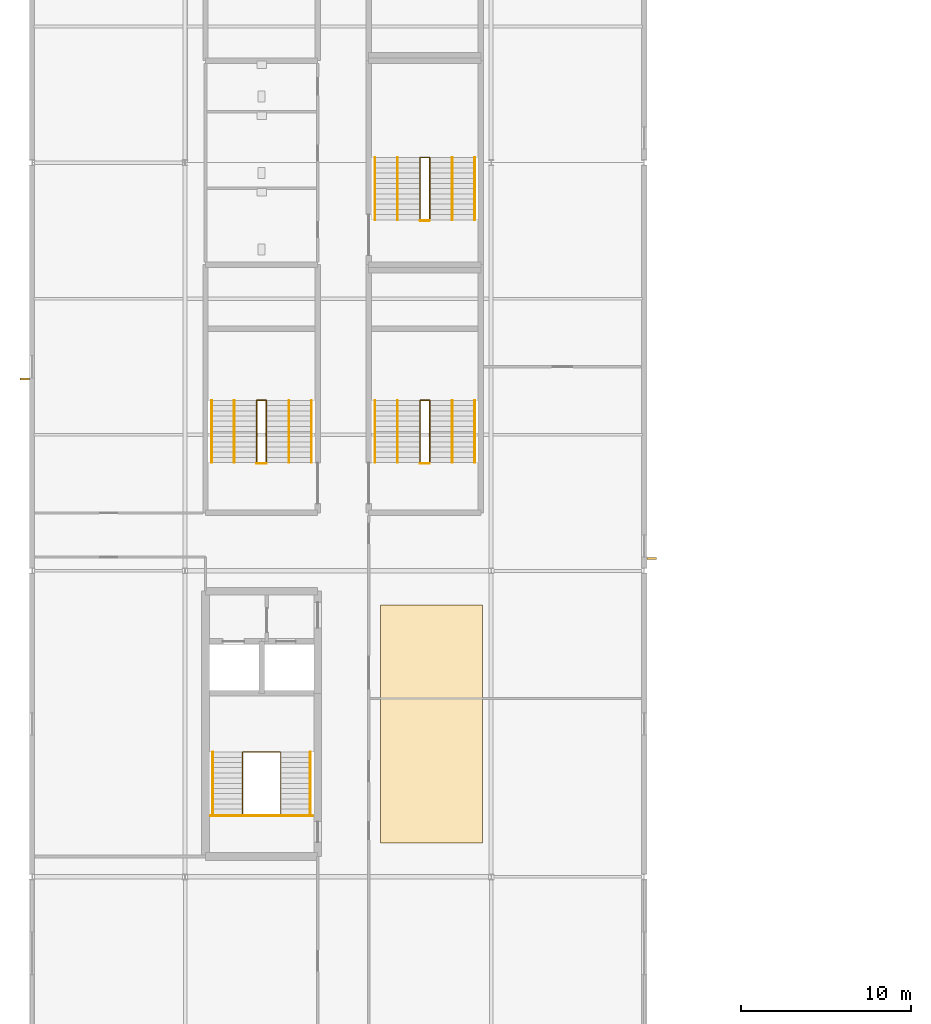
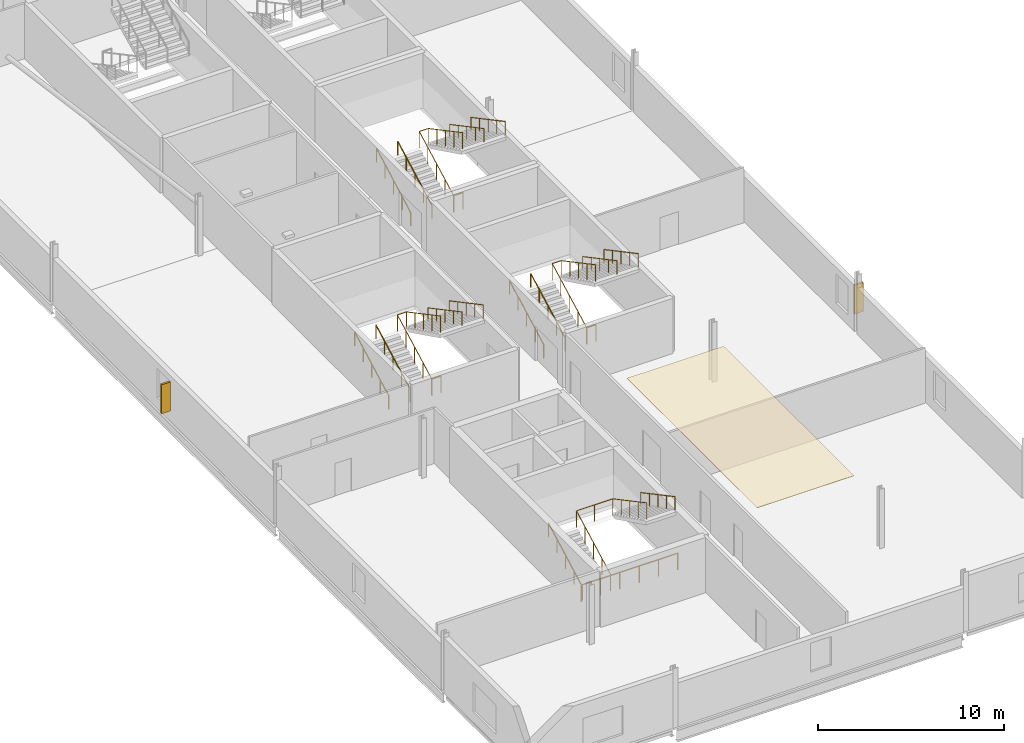
# One storey, part 27 of 31: 22 railings, 2 shading devices, 1 covering.
"""IFC4 building model written with IfcOpenShell, lengths in metres."""

from ifc_helpers import new_model, si_unit, direction, frame, origin, origin_2d, place, context, subcontext, project, spatial, polyline, rectangle, circle, outline, extrude, material, layer, layer_set, type_object, element, save


model = new_model("IFC4")

# Units and contexts
model_context = context("Model", 3, precision=1e-05, world=origin(), true_north=direction((0.0, 1.0)))
body_context = subcontext(model_context, "Body", "Model", "MODEL_VIEW")
ifc_project = project(units=[si_unit("LENGTHUNIT", "METRE"), si_unit("AREAUNIT", "SQUARE_METRE"), si_unit("VOLUMEUNIT", "CUBIC_METRE"), si_unit("PLANEANGLEUNIT", "RADIAN"), si_unit("MASSUNIT", "GRAM", prefix="KILO")], contexts=[model_context])

# Site, building, storey
site_placement = place(None, origin())
site = spatial("IfcSite", under=ifc_project, at=site_placement, CompositionType="ELEMENT")
building_placement = place(site_placement, origin())
building = spatial("IfcBuilding", under=site, at=building_placement, Name="Kisiwana Market Hall", CompositionType="ELEMENT")
storey_placement = place(building_placement, frame((0.0, 0.0, 45.60009765625)))
storey = spatial("IfcBuildingStorey", under=building, at=storey_placement, Name="L10", CompositionType="ELEMENT", Elevation=45.60009765625)

# Covering
ifc_material_1 = material(Name="Mineral-fibre acoustic ceiling board")
ifc_layer = layer(ifc_material_1, 0.02490234375)
ifc_layer_set = layer_set([ifc_layer], Name="COV-CEIL-AC")
covering_type = type_object("IfcCoveringType", Name="COV-CEIL-AC", PredefinedType="CEILING", material=ifc_layer_set)
covering_placement = place(storey_placement, frame((0.0, 0.0, 3.594970703125)))
element("IfcCovering", 1, at=covering_placement, inside=storey, type_object=covering_type, Name="Acoustic ceiling grid L10-025", PredefinedType="CEILING", context=body_context, shape_type="SweptSolid", body=[
    extrude(outline(polyline([(20.5, 20.0), (26.5, 20.0), (26.5, 34.0), (20.5, 34.0), (20.5, 20.0)])), origin(), (0.0, 0.0, 1.0), 0.02490234375),
])

# Railings
ifc_material_2 = material(Name="Steel S275", Category="steel")
railing_type_1 = type_object("IfcRailingType", Name="RL-GUARD-1100", PredefinedType="GUARDRAIL", material=ifc_material_2)
railing_1_placement = place(storey_placement, frame((12.375, 21.674560546875, 0.0)))
element("IfcRailing", 2, at=railing_1_placement, inside=storey, type_object=railing_type_1, Name="Stair ST-W2-L10 inner-well guardrail (RL-1283)", PredefinedType="GUARDRAIL", context=body_context, shape_type="SweptSolid", body=[
    extrude(circle(Radius=0.02392578125, at=origin_2d()), frame((0.0, 0.0, 1.076171875), z_axis=(0.0, 0.88255331184, 0.47021234752), x_axis=(-1.0, 0.0, 0.0)), (0.0, 0.0, 1.0), 4.14697265625),
    extrude(circle(Radius=0.02392578125, at=origin_2d()), frame((0.0, 3.659912109375, 3.02587890625), z_axis=(1.0, 0.0, 0.0), x_axis=(0.0, 1.0, 0.0)), (0.0, 0.0, 1.0), 2.25),
    extrude(circle(Radius=0.02392578125, at=origin_2d()), frame((2.25, 3.659912109375, 3.02587890625), z_axis=(0.0, -0.88255331184, 0.47021234752), x_axis=(1.0, 0.0, 0.0)), (0.0, 0.0, 1.0), 4.14697265625),
    extrude(circle(Radius=0.02099609375, at=origin_2d()), origin(), (0.0, 0.0, 1.0), 1.052001953125),
    extrude(circle(Radius=0.02099609375, at=origin_2d()), frame((0.0, 0.9150390625, 0.487548828125)), (0.0, 0.0, 1.0), 1.052001953125),
    extrude(circle(Radius=0.02099609375, at=origin_2d()), frame((0.0, 1.830078125, 0.97509765625)), (0.0, 0.0, 1.0), 1.052001953125),
    extrude(circle(Radius=0.02099609375, at=origin_2d()), frame((0.0, 2.744873046875, 1.46240234375)), (0.0, 0.0, 1.0), 1.052001953125),
    extrude(circle(Radius=0.02099609375, at=origin_2d()), frame((0.0, 3.659912109375, 1.949951171875)), (0.0, 0.0, 1.0), 1.052001953125),
    extrude(circle(Radius=0.02099609375, at=origin_2d()), frame((1.125, 3.659912109375, 1.949951171875)), (0.0, 0.0, 1.0), 1.052001953125),
    extrude(circle(Radius=0.02099609375, at=origin_2d()), frame((2.25, 3.659912109375, 1.949951171875)), (0.0, 0.0, 1.0), 1.052001953125),
    extrude(circle(Radius=0.02099609375, at=origin_2d()), frame((2.25, 2.744873046875, 2.4375)), (0.0, 0.0, 1.0), 1.052001953125),
    extrude(circle(Radius=0.02099609375, at=origin_2d()), frame((2.25, 1.830078125, 2.9248046875)), (0.0, 0.0, 1.0), 1.052001953125),
    extrude(circle(Radius=0.02099609375, at=origin_2d()), frame((2.25, 0.9150390625, 3.412353515625)), (0.0, 0.0, 1.0), 1.052001953125),
    extrude(circle(Radius=0.02099609375, at=origin_2d()), frame((2.25, 0.0, 3.89990234375)), (0.0, 0.0, 1.0), 1.052001953125),
])
railing_2_placement = place(storey_placement, frame((10.5048828125, 21.594482421875, 0.0)))
element("IfcRailing", 3, at=railing_2_placement, inside=storey, type_object=railing_type_1, Name="Stair ST-W2-L10 landing edge guardrail (RL-1286)", PredefinedType="GUARDRAIL", context=body_context, shape_type="SweptSolid", body=[
    extrude(circle(Radius=0.02392578125, at=origin_2d()), frame((0.0, 0.0, 1.076171875), z_axis=(1.0, 0.0, 0.0), x_axis=(0.0, 1.0, 0.0)), (0.0, 0.0, 1.0), 5.990234375),
    extrude(circle(Radius=0.02099609375, at=origin_2d()), origin(), (0.0, 0.0, 1.0), 1.052001953125),
    extrude(circle(Radius=0.02099609375, at=origin_2d()), frame((1.197998046875, 0.0, 0.0)), (0.0, 0.0, 1.0), 1.052001953125),
    extrude(circle(Radius=0.02099609375, at=origin_2d()), frame((2.39599609375, 0.0, 0.0)), (0.0, 0.0, 1.0), 1.052001953125),
    extrude(circle(Radius=0.02099609375, at=origin_2d()), frame((3.59423828125, 0.0, 0.0)), (0.0, 0.0, 1.0), 1.052001953125),
    extrude(circle(Radius=0.02099609375, at=origin_2d()), frame((4.792236328125, 0.0, 0.0)), (0.0, 0.0, 1.0), 1.052001953125),
    extrude(circle(Radius=0.02099609375, at=origin_2d()), frame((5.990234375, 0.0, 0.0)), (0.0, 0.0, 1.0), 1.052001953125),
])
railing_3_placement = place(storey_placement, frame((13.219970703125, 42.360107421875, 0.0)))
element("IfcRailing", 4, at=railing_3_placement, inside=storey, type_object=railing_type_1, Name="Stair ST-W3-L10 inner-well guardrail (RL-1299)", PredefinedType="GUARDRAIL", context=body_context, shape_type="SweptSolid", body=[
    extrude(circle(Radius=0.02392578125, at=origin_2d()), frame((0.0, 0.0, 1.076171875), z_axis=(0.0, 0.88255331184, 0.47021234752), x_axis=(-1.0, 0.0, 0.0)), (0.0, 0.0, 1.0), 4.14697265625),
    extrude(circle(Radius=0.02392578125, at=origin_2d()), frame((0.0, 3.659912109375, 3.02587890625), z_axis=(1.0, 0.0, 0.0), x_axis=(0.0, 1.0, 0.0)), (0.0, 0.0, 1.0), 0.56005859375),
    extrude(circle(Radius=0.02392578125, at=origin_2d()), frame((0.56005859375, 3.659912109375, 3.02587890625), z_axis=(0.0, -0.88255331184, 0.47021234752), x_axis=(1.0, 0.0, 0.0)), (0.0, 0.0, 1.0), 4.14697265625),
    extrude(circle(Radius=0.02099609375, at=origin_2d()), origin(), (0.0, 0.0, 1.0), 1.052001953125),
    extrude(circle(Radius=0.02099609375, at=origin_2d()), frame((0.0, 0.9150390625, 0.487548828125)), (0.0, 0.0, 1.0), 1.052001953125),
    extrude(circle(Radius=0.02099609375, at=origin_2d()), frame((0.0, 1.830078125, 0.97509765625)), (0.0, 0.0, 1.0), 1.052001953125),
    extrude(circle(Radius=0.02099609375, at=origin_2d()), frame((0.0, 2.744873046875, 1.46240234375)), (0.0, 0.0, 1.0), 1.052001953125),
    extrude(circle(Radius=0.02099609375, at=origin_2d()), frame((0.0, 3.659912109375, 1.949951171875)), (0.0, 0.0, 1.0), 1.052001953125),
    extrude(circle(Radius=0.02099609375, at=origin_2d()), frame((0.56005859375, 3.659912109375, 1.949951171875)), (0.0, 0.0, 1.0), 1.052001953125),
    extrude(circle(Radius=0.02099609375, at=origin_2d()), frame((0.56005859375, 2.744873046875, 2.4375)), (0.0, 0.0, 1.0), 1.052001953125),
    extrude(circle(Radius=0.02099609375, at=origin_2d()), frame((0.56005859375, 1.830078125, 2.9248046875)), (0.0, 0.0, 1.0), 1.052001953125),
    extrude(circle(Radius=0.02099609375, at=origin_2d()), frame((0.56005859375, 0.9150390625, 3.412353515625)), (0.0, 0.0, 1.0), 1.052001953125),
    extrude(circle(Radius=0.02099609375, at=origin_2d()), frame((0.56005859375, 0.0, 3.89990234375)), (0.0, 0.0, 1.0), 1.052001953125),
])
railing_4_placement = place(storey_placement, frame((13.219970703125, 42.31005859375, 0.0)))
element("IfcRailing", 5, at=railing_4_placement, inside=storey, type_object=railing_type_1, Name="Stair ST-W3-L10 landing edge guardrail (RL-1304)", PredefinedType="GUARDRAIL", context=body_context, shape_type="SweptSolid", body=[
    extrude(circle(Radius=0.02392578125, at=origin_2d()), frame((0.0, 0.0, 1.076171875), z_axis=(1.0, 0.0, 0.0), x_axis=(0.0, 1.0, 0.0)), (0.0, 0.0, 1.0), 0.56005859375),
    extrude(circle(Radius=0.02099609375, at=origin_2d()), origin(), (0.0, 0.0, 1.0), 1.052001953125),
    extrude(circle(Radius=0.02099609375, at=origin_2d()), frame((0.56005859375, 0.0, 0.0)), (0.0, 0.0, 1.0), 1.052001953125),
])
railing_5_placement = place(storey_placement, frame((22.820068359375, 42.360107421875, 0.0)))
element("IfcRailing", 6, at=railing_5_placement, inside=storey, type_object=railing_type_1, Name="Stair ST-W7-L10 inner-well guardrail (RL-1323)", PredefinedType="GUARDRAIL", context=body_context, shape_type="SweptSolid", body=[
    extrude(circle(Radius=0.02392578125, at=origin_2d()), frame((0.0, 0.0, 1.076171875), z_axis=(0.0, 0.88255331184, 0.47021234752), x_axis=(-1.0, 0.0, 0.0)), (0.0, 0.0, 1.0), 4.14697265625),
    extrude(circle(Radius=0.02392578125, at=origin_2d()), frame((0.0, 3.659912109375, 3.02587890625), z_axis=(1.0, 0.0, 0.0), x_axis=(0.0, 1.0, 0.0)), (0.0, 0.0, 1.0), 0.559814453125),
    extrude(circle(Radius=0.02392578125, at=origin_2d()), frame((0.559814453125, 3.659912109375, 3.02587890625), z_axis=(0.0, -0.88255331184, 0.47021234752), x_axis=(1.0, 0.0, 0.0)), (0.0, 0.0, 1.0), 4.14697265625),
    extrude(circle(Radius=0.02099609375, at=origin_2d()), origin(), (0.0, 0.0, 1.0), 1.052001953125),
    extrude(circle(Radius=0.02099609375, at=origin_2d()), frame((0.0, 0.9150390625, 0.487548828125)), (0.0, 0.0, 1.0), 1.052001953125),
    extrude(circle(Radius=0.02099609375, at=origin_2d()), frame((0.0, 1.830078125, 0.97509765625)), (0.0, 0.0, 1.0), 1.052001953125),
    extrude(circle(Radius=0.02099609375, at=origin_2d()), frame((0.0, 2.744873046875, 1.46240234375)), (0.0, 0.0, 1.0), 1.052001953125),
    extrude(circle(Radius=0.02099609375, at=origin_2d()), frame((0.0, 3.659912109375, 1.949951171875)), (0.0, 0.0, 1.0), 1.052001953125),
    extrude(circle(Radius=0.02099609375, at=origin_2d()), frame((0.559814453125, 3.659912109375, 1.949951171875)), (0.0, 0.0, 1.0), 1.052001953125),
    extrude(circle(Radius=0.02099609375, at=origin_2d()), frame((0.559814453125, 2.744873046875, 2.4375)), (0.0, 0.0, 1.0), 1.052001953125),
    extrude(circle(Radius=0.02099609375, at=origin_2d()), frame((0.559814453125, 1.830078125, 2.9248046875)), (0.0, 0.0, 1.0), 1.052001953125),
    extrude(circle(Radius=0.02099609375, at=origin_2d()), frame((0.559814453125, 0.9150390625, 3.412353515625)), (0.0, 0.0, 1.0), 1.052001953125),
    extrude(circle(Radius=0.02099609375, at=origin_2d()), frame((0.559814453125, 0.0, 3.89990234375)), (0.0, 0.0, 1.0), 1.052001953125),
])
railing_6_placement = place(storey_placement, frame((22.820068359375, 42.31005859375, 0.0)))
element("IfcRailing", 7, at=railing_6_placement, inside=storey, type_object=railing_type_1, Name="Stair ST-W7-L10 landing edge guardrail (RL-1328)", PredefinedType="GUARDRAIL", context=body_context, shape_type="SweptSolid", body=[
    extrude(circle(Radius=0.02392578125, at=origin_2d()), frame((0.0, 0.0, 1.076171875), z_axis=(1.0, 0.0, 0.0), x_axis=(0.0, 1.0, 0.0)), (0.0, 0.0, 1.0), 0.559814453125),
    extrude(circle(Radius=0.02099609375, at=origin_2d()), origin(), (0.0, 0.0, 1.0), 1.052001953125),
    extrude(circle(Radius=0.02099609375, at=origin_2d()), frame((0.559814453125, 0.0, 0.0)), (0.0, 0.0, 1.0), 1.052001953125),
])
railing_7_placement = place(storey_placement, frame((22.820068359375, 56.639892578125, 0.0)))
element("IfcRailing", 8, at=railing_7_placement, inside=storey, type_object=railing_type_1, Name="Stair ST-W5-L10 inner-well guardrail (RL-1347)", PredefinedType="GUARDRAIL", context=body_context, shape_type="SweptSolid", body=[
    extrude(circle(Radius=0.02392578125, at=origin_2d()), frame((0.0, 0.0, 1.076171875), z_axis=(0.0, 0.882566327451, 0.470187917379), x_axis=(-1.0, 0.0, 0.0)), (0.0, 0.0, 1.0), 4.147216796875),
    extrude(circle(Radius=0.02392578125, at=origin_2d()), frame((0.0, 3.66015625, 3.02587890625), z_axis=(1.0, 0.0, 0.0), x_axis=(0.0, 1.0, 0.0)), (0.0, 0.0, 1.0), 0.559814453125),
    extrude(circle(Radius=0.02392578125, at=origin_2d()), frame((0.559814453125, 3.66015625, 3.02587890625), z_axis=(0.0, -0.882566327451, 0.470187917379), x_axis=(1.0, 0.0, 0.0)), (0.0, 0.0, 1.0), 4.147216796875),
    extrude(circle(Radius=0.02099609375, at=origin_2d()), origin(), (0.0, 0.0, 1.0), 1.052001953125),
    extrude(circle(Radius=0.02099609375, at=origin_2d()), frame((0.0, 0.9150390625, 0.487548828125)), (0.0, 0.0, 1.0), 1.052001953125),
    extrude(circle(Radius=0.02099609375, at=origin_2d()), frame((0.0, 1.830078125, 0.97509765625)), (0.0, 0.0, 1.0), 1.052001953125),
    extrude(circle(Radius=0.02099609375, at=origin_2d()), frame((0.0, 2.7451171875, 1.46240234375)), (0.0, 0.0, 1.0), 1.052001953125),
    extrude(circle(Radius=0.02099609375, at=origin_2d()), frame((0.0, 3.66015625, 1.949951171875)), (0.0, 0.0, 1.0), 1.052001953125),
    extrude(circle(Radius=0.02099609375, at=origin_2d()), frame((0.559814453125, 3.66015625, 1.949951171875)), (0.0, 0.0, 1.0), 1.052001953125),
    extrude(circle(Radius=0.02099609375, at=origin_2d()), frame((0.559814453125, 2.7451171875, 2.4375)), (0.0, 0.0, 1.0), 1.052001953125),
    extrude(circle(Radius=0.02099609375, at=origin_2d()), frame((0.559814453125, 1.830078125, 2.9248046875)), (0.0, 0.0, 1.0), 1.052001953125),
    extrude(circle(Radius=0.02099609375, at=origin_2d()), frame((0.559814453125, 0.9150390625, 3.412353515625)), (0.0, 0.0, 1.0), 1.052001953125),
    extrude(circle(Radius=0.02099609375, at=origin_2d()), frame((0.559814453125, 0.0, 3.89990234375)), (0.0, 0.0, 1.0), 1.052001953125),
])
railing_8_placement = place(storey_placement, frame((22.820068359375, 56.590087890625, 0.0)))
element("IfcRailing", 9, at=railing_8_placement, inside=storey, type_object=railing_type_1, Name="Stair ST-W5-L10 landing edge guardrail (RL-1352)", PredefinedType="GUARDRAIL", context=body_context, shape_type="SweptSolid", body=[
    extrude(circle(Radius=0.02392578125, at=origin_2d()), frame((0.0, 0.0, 1.076171875), z_axis=(1.0, 0.0, 0.0), x_axis=(0.0, 1.0, 0.0)), (0.0, 0.0, 1.0), 0.559814453125),
    extrude(circle(Radius=0.02099609375, at=origin_2d()), origin(), (0.0, 0.0, 1.0), 1.052001953125),
    extrude(circle(Radius=0.02099609375, at=origin_2d()), frame((0.559814453125, 0.0, 0.0)), (0.0, 0.0, 1.0), 1.052001953125),
])
ifc_material_3 = material(Name="Steel S275", Category="steel")
railing_type_2 = type_object("IfcRailingType", Name="RL-HAND-900", PredefinedType="HANDRAIL", material=ifc_material_3)
railing_9_placement = place(storey_placement, frame((10.635009765625, 21.674560546875, 0.0)))
element("IfcRailing", 10, at=railing_9_placement, inside=storey, type_object=railing_type_2, Name="Stair ST-W2-L10 flight 1 handrail (RL-1284)", PredefinedType="HANDRAIL", context=body_context, shape_type="SweptSolid", body=[
    extrude(circle(Radius=0.02392578125, at=origin_2d()), frame((0.0, 0.0, 0.8759765625), z_axis=(0.0, 0.88255331184, 0.47021234752), x_axis=(-1.0, 0.0, 0.0)), (0.0, 0.0, 1.0), 4.14697265625),
    extrude(circle(Radius=0.02099609375, at=origin_2d()), origin(), (0.0, 0.0, 1.0), 0.851806640625),
    extrude(circle(Radius=0.02099609375, at=origin_2d()), frame((0.0, 0.9150390625, 0.487548828125)), (0.0, 0.0, 1.0), 0.851806640625),
    extrude(circle(Radius=0.02099609375, at=origin_2d()), frame((0.0, 1.830078125, 0.97509765625)), (0.0, 0.0, 1.0), 0.851806640625),
    extrude(circle(Radius=0.02099609375, at=origin_2d()), frame((0.0, 2.744873046875, 1.46240234375)), (0.0, 0.0, 1.0), 0.851806640625),
    extrude(circle(Radius=0.02099609375, at=origin_2d()), frame((0.0, 3.659912109375, 1.949951171875)), (0.0, 0.0, 1.0), 0.851806640625),
])
railing_10_placement = place(storey_placement, frame((16.364990234375, 25.33447265625, 1.949951171875)))
element("IfcRailing", 11, at=railing_10_placement, inside=storey, type_object=railing_type_2, Name="Stair ST-W2-L10 flight 2 handrail (RL-1285)", PredefinedType="HANDRAIL", context=body_context, shape_type="SweptSolid", body=[
    extrude(circle(Radius=0.02392578125, at=origin_2d()), frame((0.0, 0.0, 0.8759765625), z_axis=(0.0, -0.88255331184, 0.47021234752), x_axis=(1.0, 0.0, 0.0)), (0.0, 0.0, 1.0), 4.14697265625),
    extrude(circle(Radius=0.02099609375, at=origin_2d()), origin(), (0.0, 0.0, 1.0), 0.851806640625),
    extrude(circle(Radius=0.02099609375, at=origin_2d()), frame((0.0, -0.9150390625, 0.487548828125)), (0.0, 0.0, 1.0), 0.851806640625),
    extrude(circle(Radius=0.02099609375, at=origin_2d()), frame((0.0, -1.830078125, 0.97509765625)), (0.0, 0.0, 1.0), 0.851806640625),
    extrude(circle(Radius=0.02099609375, at=origin_2d()), frame((0.0, -2.744873046875, 1.46240234375)), (0.0, 0.0, 1.0), 0.851806640625),
    extrude(circle(Radius=0.02099609375, at=origin_2d()), frame((0.0, -3.659912109375, 1.949951171875)), (0.0, 0.0, 1.0), 0.851806640625),
])
railing_11_placement = place(storey_placement, frame((10.570068359375, 42.360107421875, 0.0)))
element("IfcRailing", 12, at=railing_11_placement, inside=storey, type_object=railing_type_2, Name="Stair ST-W3-L10 flight 1 handrail (RL-1300)", PredefinedType="HANDRAIL", context=body_context, shape_type="SweptSolid", body=[
    extrude(circle(Radius=0.02392578125, at=origin_2d()), frame((0.0, 0.0, 0.8759765625), z_axis=(0.0, 0.88255331184, 0.47021234752), x_axis=(-1.0, 0.0, 0.0)), (0.0, 0.0, 1.0), 4.14697265625),
    extrude(circle(Radius=0.02099609375, at=origin_2d()), origin(), (0.0, 0.0, 1.0), 0.851806640625),
    extrude(circle(Radius=0.02099609375, at=origin_2d()), frame((0.0, 0.9150390625, 0.487548828125)), (0.0, 0.0, 1.0), 0.851806640625),
    extrude(circle(Radius=0.02099609375, at=origin_2d()), frame((0.0, 1.830078125, 0.97509765625)), (0.0, 0.0, 1.0), 0.851806640625),
    extrude(circle(Radius=0.02099609375, at=origin_2d()), frame((0.0, 2.744873046875, 1.46240234375)), (0.0, 0.0, 1.0), 0.851806640625),
    extrude(circle(Radius=0.02099609375, at=origin_2d()), frame((0.0, 3.659912109375, 1.949951171875)), (0.0, 0.0, 1.0), 0.851806640625),
])
railing_12_placement = place(storey_placement, frame((16.429931640625, 46.02001953125, 1.949951171875)))
element("IfcRailing", 13, at=railing_12_placement, inside=storey, type_object=railing_type_2, Name="Stair ST-W3-L10 flight 2 handrail (RL-1301)", PredefinedType="HANDRAIL", context=body_context, shape_type="SweptSolid", body=[
    extrude(circle(Radius=0.02392578125, at=origin_2d()), frame((0.0, 0.0, 0.8759765625), z_axis=(0.0, -0.88255331184, 0.47021234752), x_axis=(1.0, 0.0, 0.0)), (0.0, 0.0, 1.0), 4.14697265625),
    extrude(circle(Radius=0.02099609375, at=origin_2d()), origin(), (0.0, 0.0, 1.0), 0.851806640625),
    extrude(circle(Radius=0.02099609375, at=origin_2d()), frame((0.0, -0.9150390625, 0.487548828125)), (0.0, 0.0, 1.0), 0.851806640625),
    extrude(circle(Radius=0.02099609375, at=origin_2d()), frame((0.0, -1.830078125, 0.97509765625)), (0.0, 0.0, 1.0), 0.851806640625),
    extrude(circle(Radius=0.02099609375, at=origin_2d()), frame((0.0, -2.744873046875, 1.46240234375)), (0.0, 0.0, 1.0), 0.851806640625),
    extrude(circle(Radius=0.02099609375, at=origin_2d()), frame((0.0, -3.659912109375, 1.949951171875)), (0.0, 0.0, 1.0), 0.851806640625),
])
railing_13_placement = place(storey_placement, frame((11.889892578125, 42.360107421875, 0.0)))
element("IfcRailing", 14, at=railing_13_placement, inside=storey, type_object=railing_type_2, Name="Stair ST-W3-L10 flight 1 intermediate handrail (RL-1302)", PredefinedType="HANDRAIL", context=body_context, shape_type="SweptSolid", body=[
    extrude(circle(Radius=0.02392578125, at=origin_2d()), frame((0.0, 0.0, 0.8759765625), z_axis=(0.0, 0.88255331184, 0.47021234752), x_axis=(-1.0, 0.0, 0.0)), (0.0, 0.0, 1.0), 4.14697265625),
    extrude(circle(Radius=0.02099609375, at=origin_2d()), origin(), (0.0, 0.0, 1.0), 0.851806640625),
    extrude(circle(Radius=0.02099609375, at=origin_2d()), frame((0.0, 0.9150390625, 0.487548828125)), (0.0, 0.0, 1.0), 0.851806640625),
    extrude(circle(Radius=0.02099609375, at=origin_2d()), frame((0.0, 1.830078125, 0.97509765625)), (0.0, 0.0, 1.0), 0.851806640625),
    extrude(circle(Radius=0.02099609375, at=origin_2d()), frame((0.0, 2.744873046875, 1.46240234375)), (0.0, 0.0, 1.0), 0.851806640625),
    extrude(circle(Radius=0.02099609375, at=origin_2d()), frame((0.0, 3.659912109375, 1.949951171875)), (0.0, 0.0, 1.0), 0.851806640625),
])
railing_14_placement = place(storey_placement, frame((15.110107421875, 46.02001953125, 1.949951171875)))
element("IfcRailing", 15, at=railing_14_placement, inside=storey, type_object=railing_type_2, Name="Stair ST-W3-L10 flight 2 intermediate handrail (RL-1303)", PredefinedType="HANDRAIL", context=body_context, shape_type="SweptSolid", body=[
    extrude(circle(Radius=0.02392578125, at=origin_2d()), frame((0.0, 0.0, 0.8759765625), z_axis=(0.0, -0.88255331184, 0.47021234752), x_axis=(1.0, 0.0, 0.0)), (0.0, 0.0, 1.0), 4.14697265625),
    extrude(circle(Radius=0.02099609375, at=origin_2d()), origin(), (0.0, 0.0, 1.0), 0.851806640625),
    extrude(circle(Radius=0.02099609375, at=origin_2d()), frame((0.0, -0.9150390625, 0.487548828125)), (0.0, 0.0, 1.0), 0.851806640625),
    extrude(circle(Radius=0.02099609375, at=origin_2d()), frame((0.0, -1.830078125, 0.97509765625)), (0.0, 0.0, 1.0), 0.851806640625),
    extrude(circle(Radius=0.02099609375, at=origin_2d()), frame((0.0, -2.744873046875, 1.46240234375)), (0.0, 0.0, 1.0), 0.851806640625),
    extrude(circle(Radius=0.02099609375, at=origin_2d()), frame((0.0, -3.659912109375, 1.949951171875)), (0.0, 0.0, 1.0), 0.851806640625),
])
railing_15_placement = place(storey_placement, frame((20.169921875, 42.360107421875, 0.0)))
element("IfcRailing", 16, at=railing_15_placement, inside=storey, type_object=railing_type_2, Name="Stair ST-W7-L10 flight 1 handrail (RL-1324)", PredefinedType="HANDRAIL", context=body_context, shape_type="SweptSolid", body=[
    extrude(circle(Radius=0.02392578125, at=origin_2d()), frame((0.0, 0.0, 0.8759765625), z_axis=(0.0, 0.88255331184, 0.47021234752), x_axis=(-1.0, 0.0, 0.0)), (0.0, 0.0, 1.0), 4.14697265625),
    extrude(circle(Radius=0.02099609375, at=origin_2d()), origin(), (0.0, 0.0, 1.0), 0.851806640625),
    extrude(circle(Radius=0.02099609375, at=origin_2d()), frame((0.0, 0.9150390625, 0.487548828125)), (0.0, 0.0, 1.0), 0.851806640625),
    extrude(circle(Radius=0.02099609375, at=origin_2d()), frame((0.0, 1.830078125, 0.97509765625)), (0.0, 0.0, 1.0), 0.851806640625),
    extrude(circle(Radius=0.02099609375, at=origin_2d()), frame((0.0, 2.744873046875, 1.46240234375)), (0.0, 0.0, 1.0), 0.851806640625),
    extrude(circle(Radius=0.02099609375, at=origin_2d()), frame((0.0, 3.659912109375, 1.949951171875)), (0.0, 0.0, 1.0), 0.851806640625),
])
railing_16_placement = place(storey_placement, frame((26.030029296875, 46.02001953125, 1.949951171875)))
element("IfcRailing", 17, at=railing_16_placement, inside=storey, type_object=railing_type_2, Name="Stair ST-W7-L10 flight 2 handrail (RL-1325)", PredefinedType="HANDRAIL", context=body_context, shape_type="SweptSolid", body=[
    extrude(circle(Radius=0.02392578125, at=origin_2d()), frame((0.0, 0.0, 0.8759765625), z_axis=(0.0, -0.88255331184, 0.47021234752), x_axis=(1.0, 0.0, 0.0)), (0.0, 0.0, 1.0), 4.14697265625),
    extrude(circle(Radius=0.02099609375, at=origin_2d()), origin(), (0.0, 0.0, 1.0), 0.851806640625),
    extrude(circle(Radius=0.02099609375, at=origin_2d()), frame((0.0, -0.9150390625, 0.487548828125)), (0.0, 0.0, 1.0), 0.851806640625),
    extrude(circle(Radius=0.02099609375, at=origin_2d()), frame((0.0, -1.830078125, 0.97509765625)), (0.0, 0.0, 1.0), 0.851806640625),
    extrude(circle(Radius=0.02099609375, at=origin_2d()), frame((0.0, -2.744873046875, 1.46240234375)), (0.0, 0.0, 1.0), 0.851806640625),
    extrude(circle(Radius=0.02099609375, at=origin_2d()), frame((0.0, -3.659912109375, 1.949951171875)), (0.0, 0.0, 1.0), 0.851806640625),
])
railing_17_placement = place(storey_placement, frame((21.489990234375, 42.360107421875, 0.0)))
element("IfcRailing", 18, at=railing_17_placement, inside=storey, type_object=railing_type_2, Name="Stair ST-W7-L10 flight 1 intermediate handrail (RL-1326)", PredefinedType="HANDRAIL", context=body_context, shape_type="SweptSolid", body=[
    extrude(circle(Radius=0.02392578125, at=origin_2d()), frame((0.0, 0.0, 0.8759765625), z_axis=(0.0, 0.88255331184, 0.47021234752), x_axis=(-1.0, 0.0, 0.0)), (0.0, 0.0, 1.0), 4.14697265625),
    extrude(circle(Radius=0.02099609375, at=origin_2d()), origin(), (0.0, 0.0, 1.0), 0.851806640625),
    extrude(circle(Radius=0.02099609375, at=origin_2d()), frame((0.0, 0.9150390625, 0.487548828125)), (0.0, 0.0, 1.0), 0.851806640625),
    extrude(circle(Radius=0.02099609375, at=origin_2d()), frame((0.0, 1.830078125, 0.97509765625)), (0.0, 0.0, 1.0), 0.851806640625),
    extrude(circle(Radius=0.02099609375, at=origin_2d()), frame((0.0, 2.744873046875, 1.46240234375)), (0.0, 0.0, 1.0), 0.851806640625),
    extrude(circle(Radius=0.02099609375, at=origin_2d()), frame((0.0, 3.659912109375, 1.949951171875)), (0.0, 0.0, 1.0), 0.851806640625),
])
railing_18_placement = place(storey_placement, frame((24.7099609375, 46.02001953125, 1.949951171875)))
element("IfcRailing", 19, at=railing_18_placement, inside=storey, type_object=railing_type_2, Name="Stair ST-W7-L10 flight 2 intermediate handrail (RL-1327)", PredefinedType="HANDRAIL", context=body_context, shape_type="SweptSolid", body=[
    extrude(circle(Radius=0.02392578125, at=origin_2d()), frame((0.0, 0.0, 0.8759765625), z_axis=(0.0, -0.88255331184, 0.47021234752), x_axis=(1.0, 0.0, 0.0)), (0.0, 0.0, 1.0), 4.14697265625),
    extrude(circle(Radius=0.02099609375, at=origin_2d()), origin(), (0.0, 0.0, 1.0), 0.851806640625),
    extrude(circle(Radius=0.02099609375, at=origin_2d()), frame((0.0, -0.9150390625, 0.487548828125)), (0.0, 0.0, 1.0), 0.851806640625),
    extrude(circle(Radius=0.02099609375, at=origin_2d()), frame((0.0, -1.830078125, 0.97509765625)), (0.0, 0.0, 1.0), 0.851806640625),
    extrude(circle(Radius=0.02099609375, at=origin_2d()), frame((0.0, -2.744873046875, 1.46240234375)), (0.0, 0.0, 1.0), 0.851806640625),
    extrude(circle(Radius=0.02099609375, at=origin_2d()), frame((0.0, -3.659912109375, 1.949951171875)), (0.0, 0.0, 1.0), 0.851806640625),
])
railing_19_placement = place(storey_placement, frame((20.169921875, 56.639892578125, 0.0)))
element("IfcRailing", 20, at=railing_19_placement, inside=storey, type_object=railing_type_2, Name="Stair ST-W5-L10 flight 1 handrail (RL-1348)", PredefinedType="HANDRAIL", context=body_context, shape_type="SweptSolid", body=[
    extrude(circle(Radius=0.02392578125, at=origin_2d()), frame((0.0, 0.0, 0.8759765625), z_axis=(0.0, 0.882566327451, 0.470187917379), x_axis=(-1.0, 0.0, 0.0)), (0.0, 0.0, 1.0), 4.147216796875),
    extrude(circle(Radius=0.02099609375, at=origin_2d()), origin(), (0.0, 0.0, 1.0), 0.851806640625),
    extrude(circle(Radius=0.02099609375, at=origin_2d()), frame((0.0, 0.9150390625, 0.487548828125)), (0.0, 0.0, 1.0), 0.851806640625),
    extrude(circle(Radius=0.02099609375, at=origin_2d()), frame((0.0, 1.830078125, 0.97509765625)), (0.0, 0.0, 1.0), 0.851806640625),
    extrude(circle(Radius=0.02099609375, at=origin_2d()), frame((0.0, 2.7451171875, 1.46240234375)), (0.0, 0.0, 1.0), 0.851806640625),
    extrude(circle(Radius=0.02099609375, at=origin_2d()), frame((0.0, 3.66015625, 1.949951171875)), (0.0, 0.0, 1.0), 0.851806640625),
])
railing_20_placement = place(storey_placement, frame((26.030029296875, 60.300048828125, 1.949951171875)))
element("IfcRailing", 21, at=railing_20_placement, inside=storey, type_object=railing_type_2, Name="Stair ST-W5-L10 flight 2 handrail (RL-1349)", PredefinedType="HANDRAIL", context=body_context, shape_type="SweptSolid", body=[
    extrude(circle(Radius=0.02392578125, at=origin_2d()), frame((0.0, 0.0, 0.8759765625), z_axis=(0.0, -0.882566327451, 0.470187917379), x_axis=(1.0, 0.0, 0.0)), (0.0, 0.0, 1.0), 4.147216796875),
    extrude(circle(Radius=0.02099609375, at=origin_2d()), origin(), (0.0, 0.0, 1.0), 0.851806640625),
    extrude(circle(Radius=0.02099609375, at=origin_2d()), frame((0.0, -0.9150390625, 0.487548828125)), (0.0, 0.0, 1.0), 0.851806640625),
    extrude(circle(Radius=0.02099609375, at=origin_2d()), frame((0.0, -1.830078125, 0.97509765625)), (0.0, 0.0, 1.0), 0.851806640625),
    extrude(circle(Radius=0.02099609375, at=origin_2d()), frame((0.0, -2.7451171875, 1.46240234375)), (0.0, 0.0, 1.0), 0.851806640625),
    extrude(circle(Radius=0.02099609375, at=origin_2d()), frame((0.0, -3.66015625, 1.949951171875)), (0.0, 0.0, 1.0), 0.851806640625),
])
railing_21_placement = place(storey_placement, frame((21.489990234375, 56.639892578125, 0.0)))
element("IfcRailing", 22, at=railing_21_placement, inside=storey, type_object=railing_type_2, Name="Stair ST-W5-L10 flight 1 intermediate handrail (RL-1350)", PredefinedType="HANDRAIL", context=body_context, shape_type="SweptSolid", body=[
    extrude(circle(Radius=0.02392578125, at=origin_2d()), frame((0.0, 0.0, 0.8759765625), z_axis=(0.0, 0.882566327451, 0.470187917379), x_axis=(-1.0, 0.0, 0.0)), (0.0, 0.0, 1.0), 4.147216796875),
    extrude(circle(Radius=0.02099609375, at=origin_2d()), origin(), (0.0, 0.0, 1.0), 0.851806640625),
    extrude(circle(Radius=0.02099609375, at=origin_2d()), frame((0.0, 0.9150390625, 0.487548828125)), (0.0, 0.0, 1.0), 0.851806640625),
    extrude(circle(Radius=0.02099609375, at=origin_2d()), frame((0.0, 1.830078125, 0.97509765625)), (0.0, 0.0, 1.0), 0.851806640625),
    extrude(circle(Radius=0.02099609375, at=origin_2d()), frame((0.0, 2.7451171875, 1.46240234375)), (0.0, 0.0, 1.0), 0.851806640625),
    extrude(circle(Radius=0.02099609375, at=origin_2d()), frame((0.0, 3.66015625, 1.949951171875)), (0.0, 0.0, 1.0), 0.851806640625),
])
railing_22_placement = place(storey_placement, frame((24.7099609375, 60.300048828125, 1.949951171875)))
element("IfcRailing", 23, at=railing_22_placement, inside=storey, type_object=railing_type_2, Name="Stair ST-W5-L10 flight 2 intermediate handrail (RL-1351)", PredefinedType="HANDRAIL", context=body_context, shape_type="SweptSolid", body=[
    extrude(circle(Radius=0.02392578125, at=origin_2d()), frame((0.0, 0.0, 0.8759765625), z_axis=(0.0, -0.882566327451, 0.470187917379), x_axis=(1.0, 0.0, 0.0)), (0.0, 0.0, 1.0), 4.147216796875),
    extrude(circle(Radius=0.02099609375, at=origin_2d()), origin(), (0.0, 0.0, 1.0), 0.851806640625),
    extrude(circle(Radius=0.02099609375, at=origin_2d()), frame((0.0, -0.9150390625, 0.487548828125)), (0.0, 0.0, 1.0), 0.851806640625),
    extrude(circle(Radius=0.02099609375, at=origin_2d()), frame((0.0, -1.830078125, 0.97509765625)), (0.0, 0.0, 1.0), 0.851806640625),
    extrude(circle(Radius=0.02099609375, at=origin_2d()), frame((0.0, -2.7451171875, 1.46240234375)), (0.0, 0.0, 1.0), 0.851806640625),
    extrude(circle(Radius=0.02099609375, at=origin_2d()), frame((0.0, -3.66015625, 1.949951171875)), (0.0, 0.0, 1.0), 0.851806640625),
])

# Shading devices
ifc_material_4 = material(Name="Aluminium alloy 6063-T6", Category="aluminium")
shading_device_type = type_object("IfcShadingDeviceType", Name="SHD-SHUTTER-V", PredefinedType="SHUTTER", material=ifc_material_4)
for number, where, z_axis, x_axis, name in (
    (24, (-0.4326171875, 47.27001953125, 0.699951171875), (0.0, 0.0, 1.0), (0.0, 1.0, 0.0), "Vertical solar fin SHD-197 SD-196"),
    (25, (36.4326171875, 36.729736328125, 0.699951171875), (0.0, 0.0, 1.0), (0.0, 1.0, 0.0), "Vertical solar fin SHD-199 SD-198"),
):
    element("IfcShadingDevice", number, at=place(storey_placement, frame(where, z_axis=z_axis, x_axis=x_axis)), inside=storey, type_object=shading_device_type, Name=name, PredefinedType="SHUTTER", context=body_context, shape_type="SweptSolid", body=[
        extrude(rectangle(XDim=0.1201171875, YDim=0.550048828125, at=origin_2d()), origin(), (0.0, 0.0, 1.0), 1.89990234375),
    ])

save(model, "model.ifc")
